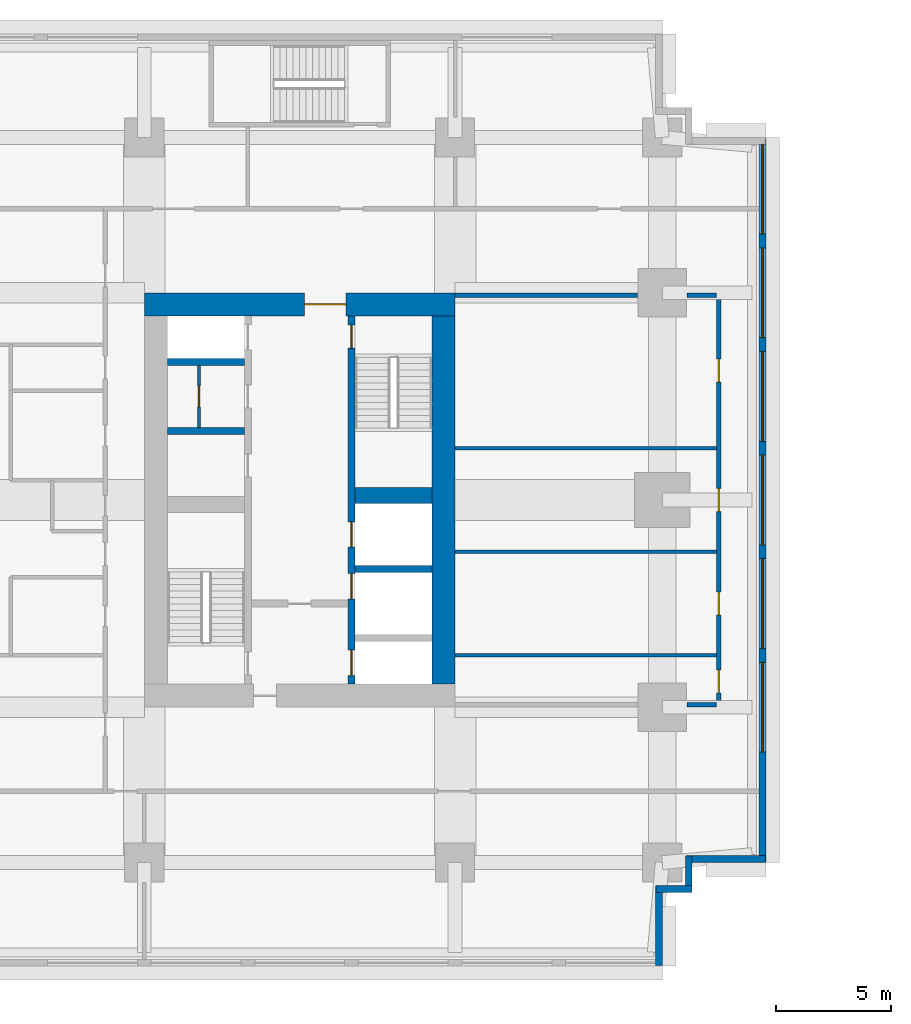
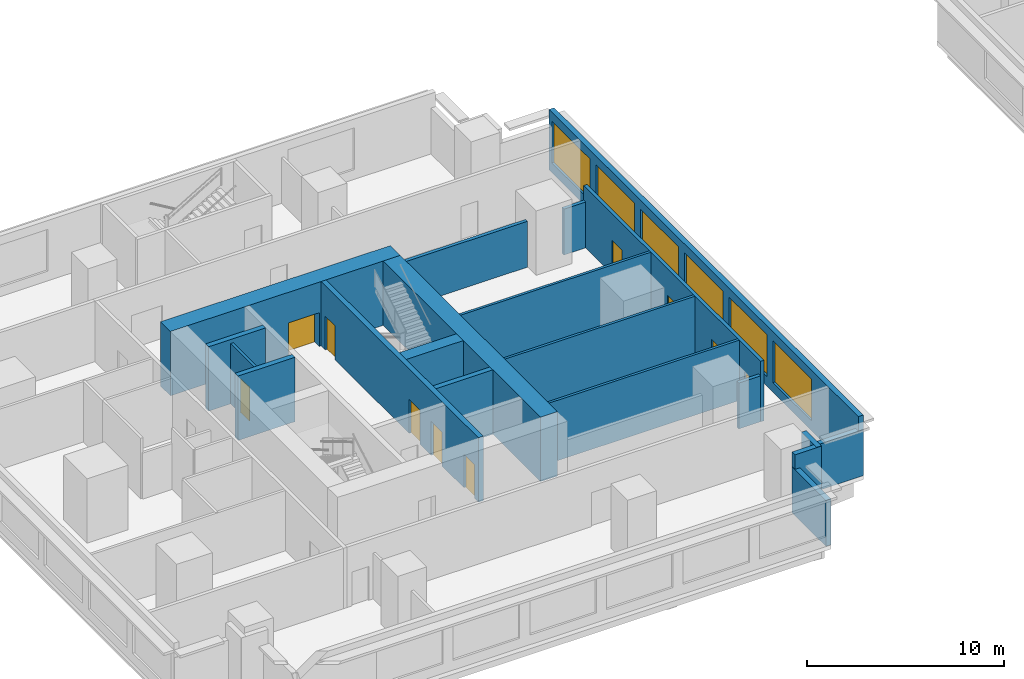
# One storey, part 4 of 10: 20 walls, 10 doors, 6 windows, 16 openings.
"""IFC4 building model written with IfcOpenShell, lengths in metres."""

from ifc_helpers import new_model, si_unit, direction, frame, frame_2d, origin, place, context, subcontext, project, spatial, rectangle, extrude, material, layer, layer_set, type_object, element, fill, save


model = new_model("IFC4")

# Units and contexts
model_context = context("Model", 3, precision=1e-05, world=origin(), true_north=direction((0.0, 1.0)))
body_context = subcontext(model_context, "Body", "Model", "MODEL_VIEW")
ifc_project = project(units=[si_unit("LENGTHUNIT", "METRE"), si_unit("AREAUNIT", "SQUARE_METRE"), si_unit("VOLUMEUNIT", "CUBIC_METRE"), si_unit("PLANEANGLEUNIT", "RADIAN"), si_unit("MASSUNIT", "GRAM", prefix="KILO")], contexts=[model_context])

# Site, building, storey
site_placement = place(None, origin())
site = spatial("IfcSite", under=ifc_project, at=site_placement, CompositionType="ELEMENT")
building_placement = place(site_placement, origin())
building = spatial("IfcBuilding", under=site, at=building_placement, Name="Namib Vertical Campus", CompositionType="ELEMENT")
storey_placement = place(building_placement, frame((0.0, 0.0, 153.0)))
storey = spatial("IfcBuildingStorey", under=building, at=storey_placement, Name="L36", CompositionType="ELEMENT", Elevation=153.0)

# Wall, openings, doors
ifc_material_1 = material(Name="Concrete C60/75", Category="concrete")
ifc_layer_1 = layer(ifc_material_1, 0.300048828125)
ifc_layer_set_1 = layer_set([ifc_layer_1], Name="Concrete C60/75")
wall_type_1 = type_object("IfcWallType", Name="Core inner wall 300", PredefinedType="SHEAR", material=ifc_layer_set_1)
wall_1_placement = place(storey_placement, frame((22.5, 12.25, 0.0), z_axis=(0.0, 0.0, 1.0), x_axis=(0.0, 1.0, 0.0)))
wall_1 = element("IfcWall", 1, at=wall_1_placement, inside=storey, type_object=wall_type_1, Name="Core inner wall A L36 W2", PredefinedType="SHEAR", context=body_context, shape_type="SweptSolid", body=[
    extrude(rectangle(XDim=16.0, YDim=0.300048828125, at=frame_2d((8.0, 0.0))), origin(), (0.0, 0.0, 1.0), 4.0),
])
opening_1_placement = place(wall_1_placement, frame((14.60009765625, 0.0, 0.0)))
opening_1 = element("IfcOpeningElement", 2, at=opening_1_placement, cuts=wall_1, Name="Opening FD1", PredefinedType="OPENING", context=body_context, shape_type="SweptSolid", body=[
    extrude(rectangle(XDim=1.0, YDim=2.10009765625, at=frame_2d((0.5, 1.050048828125))), frame((0.0, 0.159912109375, 0.0), z_axis=(0.0, -1.0, 0.0), x_axis=(1.0, 0.0, 0.0)), (0.0, 0.0, 1.0), 0.320068359375),
])
opening_2_placement = place(wall_1_placement, frame((0.375, 0.0, 0.0)))
opening_2 = element("IfcOpeningElement", 3, at=opening_2_placement, cuts=wall_1, Name="Opening LD1", PredefinedType="OPENING", context=body_context, shape_type="SweptSolid", body=[
    extrude(rectangle(XDim=1.10009765625, YDim=2.10009765625, at=frame_2d((0.550048828125, 1.050048828125))), frame((0.0, 0.159912109375, 0.0), z_axis=(0.0, -1.0, 0.0), x_axis=(1.0, 0.0, 0.0)), (0.0, 0.0, 1.0), 0.320068359375),
])
opening_3_placement = place(wall_1_placement, frame((3.699951171875, 0.0, 0.0)))
opening_3 = element("IfcOpeningElement", 4, at=opening_3_placement, cuts=wall_1, Name="Opening LD1", PredefinedType="OPENING", context=body_context, shape_type="SweptSolid", body=[
    extrude(rectangle(XDim=1.10009765625, YDim=2.10009765625, at=frame_2d((0.550048828125, 1.050048828125))), frame((0.0, 0.159912109375, 0.0), z_axis=(0.0, -1.0, 0.0), x_axis=(1.0, 0.0, 0.0)), (0.0, 0.0, 1.0), 0.320068359375),
])
opening_4_placement = place(wall_1_placement, frame((5.949951171875, 0.0, 0.0)))
opening_4 = element("IfcOpeningElement", 5, at=opening_4_placement, cuts=wall_1, Name="Opening LD1", PredefinedType="OPENING", context=body_context, shape_type="SweptSolid", body=[
    extrude(rectangle(XDim=1.10009765625, YDim=2.10009765625, at=frame_2d((0.550048828125, 1.050048828125))), frame((0.0, 0.159912109375, 0.0), z_axis=(0.0, -1.0, 0.0), x_axis=(1.0, 0.0, 0.0)), (0.0, 0.0, 1.0), 0.320068359375),
])
ifc_material_2 = material(Name="Steel fire door", Category="steel")
door_type_1 = type_object("IfcDoorType", Name="Fire door 1000x2100", OperationType="SINGLE_SWING_RIGHT", PredefinedType="DOOR", material=ifc_material_2)
door_1_placement = place(opening_1_placement, frame((1.0, 0.0, 0.0), z_axis=(0.0, 0.0, 1.0), x_axis=(-1.0, 0.0, 0.0)))
door_1 = element("IfcDoor", 6, at=door_1_placement, inside=storey, type_object=door_type_1, Name="Stair door FD1 A L36 S2", OperationType="SINGLE_SWING_LEFT", OverallHeight=2.10009765625, OverallWidth=1.0, PredefinedType="DOOR", context=body_context, shape_type="SweptSolid", body=[
    extrude(rectangle(XDim=1.0, YDim=2.10009765625, at=frame_2d((0.5, 1.050048828125))), frame((0.0, 0.02490234375, 0.0), z_axis=(0.0, -1.0, 0.0), x_axis=(1.0, 0.0, 0.0)), (0.0, 0.0, 1.0), 0.050048828125),
])
fill(opening_1, door_1)
ifc_material_3 = material(Name="Stainless steel lift door", Category="steel")
door_type_2 = type_object("IfcDoorType", Name="Lift landing door 1100x2100", OperationType="DOUBLE_DOOR_SLIDING", PredefinedType="DOOR", material=ifc_material_3)
door_2_placement = place(opening_2_placement, origin())
door_2 = element("IfcDoor", 7, at=door_2_placement, inside=storey, type_object=door_type_2, Name="Lift landing door LD1 A-FL1 L36", OperationType="DOUBLE_DOOR_SLIDING", OverallHeight=2.10009765625, OverallWidth=1.10009765625, PredefinedType="DOOR", context=body_context, shape_type="SweptSolid", body=[
    extrude(rectangle(XDim=1.10009765625, YDim=2.10009765625, at=frame_2d((0.550048828125, 1.050048828125))), frame((0.0, 0.02490234375, 0.0), z_axis=(0.0, -1.0, 0.0), x_axis=(1.0, 0.0, 0.0)), (0.0, 0.0, 1.0), 0.050048828125),
])
fill(opening_2, door_2)
door_3_placement = place(opening_3_placement, origin())
door_3 = element("IfcDoor", 8, at=door_3_placement, inside=storey, type_object=door_type_2, Name="Lift landing door LD1 A-P4 L36", OperationType="DOUBLE_DOOR_SLIDING", OverallHeight=2.10009765625, OverallWidth=1.10009765625, PredefinedType="DOOR", context=body_context, shape_type="SweptSolid", body=[
    extrude(rectangle(XDim=1.10009765625, YDim=2.10009765625, at=frame_2d((0.550048828125, 1.050048828125))), frame((0.0, 0.02490234375, 0.0), z_axis=(0.0, -1.0, 0.0), x_axis=(1.0, 0.0, 0.0)), (0.0, 0.0, 1.0), 0.050048828125),
])
fill(opening_3, door_3)
door_4_placement = place(opening_4_placement, origin())
door_4 = element("IfcDoor", 9, at=door_4_placement, inside=storey, type_object=door_type_2, Name="Lift landing door LD1 A-P5 L36", OperationType="DOUBLE_DOOR_SLIDING", OverallHeight=2.10009765625, OverallWidth=1.10009765625, PredefinedType="DOOR", context=body_context, shape_type="SweptSolid", body=[
    extrude(rectangle(XDim=1.10009765625, YDim=2.10009765625, at=frame_2d((0.550048828125, 1.050048828125))), frame((0.0, 0.02490234375, 0.0), z_axis=(0.0, -1.0, 0.0), x_axis=(1.0, 0.0, 0.0)), (0.0, 0.0, 1.0), 0.050048828125),
])
fill(opening_4, door_4)

# Walls
for number, where, z_axis, x_axis, name in (
    (10, (22.64990234375, 17.25, 0.0), (0.0, 0.0, 1.0), (1.0, 0.0, 0.0), "Core inner wall A L36 W6"),
    (11, (14.5, 23.25, 0.0), (0.0, 0.0, 1.0), (1.0, 0.0, 0.0), "Core inner wall A L36 W8"),
    (12, (14.5, 26.25, 0.0), (0.0, 0.0, 1.0), (1.0, 0.0, 0.0), "Core inner wall A L36 W9"),
):
    element("IfcWall", number, at=place(storey_placement, frame(where, z_axis=z_axis, x_axis=x_axis)), inside=storey, type_object=wall_type_1, Name=name, PredefinedType="SHEAR", context=body_context, shape_type="SweptSolid", body=[
        extrude(rectangle(XDim=3.35009765625, YDim=0.300048828125, at=frame_2d((1.675048828125, 0.0))), origin(), (0.0, 0.0, 1.0), 4.0),
    ])
ifc_material_4 = material(Name="Concrete C60/75", Category="concrete")
ifc_layer_2 = layer(ifc_material_4, 0.699951171875)
ifc_layer_set_2 = layer_set([ifc_layer_2], Name="Concrete C60/75")
wall_type_2 = type_object("IfcWallType", Name="Core shear wall 700", PredefinedType="SHEAR", material=ifc_layer_set_2)
wall_2_placement = place(storey_placement, frame((22.64990234375, 20.449951171875, 0.0), z_axis=(0.0, 0.0, 1.0), x_axis=(1.0, 0.0, 0.0)))
element("IfcWall", 13, at=wall_2_placement, inside=storey, type_object=wall_type_2, Name="Core shear wall A L36 W7", PredefinedType="SHEAR", context=body_context, shape_type="SweptSolid", body=[
    extrude(rectangle(XDim=3.35009765625, YDim=0.699951171875, at=frame_2d((1.675048828125, 0.0))), origin(), (0.0, 0.0, 1.0), 4.0),
])
ifc_material_5 = material(Name="Concrete C60/75", Category="concrete")
ifc_layer_3 = layer(ifc_material_5, 1.0)
ifc_layer_set_3 = layer_set([ifc_layer_3], Name="Concrete C60/75")
wall_type_3 = type_object("IfcWallType", Name="Core wall 1000", PredefinedType="SHEAR", material=ifc_layer_set_3)
wall_3_placement = place(storey_placement, frame((26.5, 12.25, 0.0), z_axis=(0.0, 0.0, 1.0), x_axis=(0.0, 1.0, 0.0)))
element("IfcWall", 14, at=wall_3_placement, inside=storey, type_object=wall_type_3, Name="Core wall A L36 2", PredefinedType="SHEAR", context=body_context, shape_type="SweptSolid", body=[
    extrude(rectangle(XDim=16.0, YDim=1.0, at=frame_2d((8.0, 0.0))), origin(), (0.0, 0.0, 1.0), 4.0),
])

# Wall, opening, door
wall_4_placement = place(storey_placement, frame((27.0, 28.75, 0.0), z_axis=(0.0, 0.0, 1.0), x_axis=(-1.0, 0.0, 0.0)))
wall_4 = element("IfcWall", 15, at=wall_4_placement, inside=storey, type_object=wall_type_3, Name="Core wall A L36 3", PredefinedType="SHEAR", context=body_context, shape_type="SweptSolid", body=[
    extrude(rectangle(XDim=13.5, YDim=1.0, at=frame_2d((6.75, 0.0))), origin(), (0.0, 0.0, 1.0), 4.0),
])
opening_5_placement = place(wall_4_placement, frame((4.75, 0.0, 0.0)))
opening_5 = element("IfcOpeningElement", 16, at=opening_5_placement, cuts=wall_4, Name="Opening FD2", PredefinedType="OPENING", context=body_context, shape_type="SweptSolid", body=[
    extrude(rectangle(XDim=1.800048828125, YDim=2.10009765625, at=frame_2d((0.89990234375, 1.050048828125))), frame((0.0, 0.510009765625, 0.0), z_axis=(0.0, -1.0, 0.0), x_axis=(1.0, 0.0, 0.0)), (0.0, 0.0, 1.0), 1.02001953125),
])
ifc_material_6 = material(Name="Steel fire door", Category="steel")
door_type_3 = type_object("IfcDoorType", Name="Fire door double 1800x2100", OperationType="DOUBLE_DOOR_SINGLE_SWING", PredefinedType="DOOR", material=ifc_material_6)
door_5_placement = place(opening_5_placement, origin())
door_5 = element("IfcDoor", 17, at=door_5_placement, inside=storey, type_object=door_type_3, Name="Lift lobby door FD2 A L36", OperationType="DOUBLE_DOOR_SINGLE_SWING", OverallHeight=2.10009765625, OverallWidth=1.800048828125, PredefinedType="DOOR", context=body_context, shape_type="SweptSolid", body=[
    extrude(rectangle(XDim=1.800048828125, YDim=2.10009765625, at=frame_2d((0.89990234375, 1.050048828125))), frame((0.0, 0.02490234375, 0.0), z_axis=(0.0, -1.0, 0.0), x_axis=(1.0, 0.0, 0.0)), (0.0, 0.0, 1.0), 0.050048828125),
])
fill(opening_5, door_5)

# Wall, openings, doors
ifc_material_7 = material(Name="Concrete masonry", Category="masonry")
ifc_layer_4 = layer(ifc_material_7, 0.199951171875)
ifc_layer_set_4 = layer_set([ifc_layer_4], Name="Corridor wall 200")
wall_type_4 = type_object("IfcWallType", Name="Corridor wall 200", PredefinedType="SOLIDWALL", material=ifc_layer_set_4)
wall_5_placement = place(storey_placement, frame((38.449951171875, 11.25, 0.0), z_axis=(0.0, 0.0, 1.0), x_axis=(0.0, 1.0, 0.0)))
wall_5 = element("IfcWall", 18, at=wall_5_placement, inside=storey, type_object=wall_type_4, Name="Corridor wall A L36 CG", PredefinedType="SOLIDWALL", context=body_context, shape_type="SweptSolid", body=[
    extrude(rectangle(XDim=18.0, YDim=0.199951171875, at=frame_2d((9.0, 0.0))), origin(), (0.0, 0.0, 1.0), 3.75),
])
opening_6_placement = place(wall_5_placement, frame((0.625, 0.0, 0.0)))
opening_6 = element("IfcOpeningElement", 19, at=opening_6_placement, cuts=wall_5, Name="Opening CD1", PredefinedType="OPENING", context=body_context, shape_type="SweptSolid", body=[
    extrude(rectangle(XDim=1.0, YDim=2.10009765625, at=frame_2d((0.5, 1.050048828125))), frame((0.0, 0.10986328125, 0.0), z_axis=(0.0, -1.0, 0.0), x_axis=(1.0, 0.0, 0.0)), (0.0, 0.0, 1.0), 0.219970703125),
])
opening_7_placement = place(wall_5_placement, frame((4.0, 0.0, 0.0)))
opening_7 = element("IfcOpeningElement", 20, at=opening_7_placement, cuts=wall_5, Name="Opening CD1", PredefinedType="OPENING", context=body_context, shape_type="SweptSolid", body=[
    extrude(rectangle(XDim=1.0, YDim=2.10009765625, at=frame_2d((0.5, 1.050048828125))), frame((0.0, 0.10986328125, 0.0), z_axis=(0.0, -1.0, 0.0), x_axis=(1.0, 0.0, 0.0)), (0.0, 0.0, 1.0), 0.219970703125),
])
opening_8_placement = place(wall_5_placement, frame((8.5, 0.0, 0.0)))
opening_8 = element("IfcOpeningElement", 21, at=opening_8_placement, cuts=wall_5, Name="Opening CD1", PredefinedType="OPENING", context=body_context, shape_type="SweptSolid", body=[
    extrude(rectangle(XDim=1.0, YDim=2.10009765625, at=frame_2d((0.5, 1.050048828125))), frame((0.0, 0.10986328125, 0.0), z_axis=(0.0, -1.0, 0.0), x_axis=(1.0, 0.0, 0.0)), (0.0, 0.0, 1.0), 0.219970703125),
])
opening_9_placement = place(wall_5_placement, frame((14.125, 0.0, 0.0)))
opening_9 = element("IfcOpeningElement", 22, at=opening_9_placement, cuts=wall_5, Name="Opening CD1", PredefinedType="OPENING", context=body_context, shape_type="SweptSolid", body=[
    extrude(rectangle(XDim=1.0, YDim=2.10009765625, at=frame_2d((0.5, 1.050048828125))), frame((0.0, 0.10986328125, 0.0), z_axis=(0.0, -1.0, 0.0), x_axis=(1.0, 0.0, 0.0)), (0.0, 0.0, 1.0), 0.219970703125),
])
ifc_material_8 = material(Name="Timber fire door leaf", Category="wood")
door_type_4 = type_object("IfcDoorType", Name="Corridor door 1000x2100 20 min", OperationType="SINGLE_SWING_LEFT", PredefinedType="DOOR", material=ifc_material_8)
door_6_placement = place(opening_6_placement, origin())
door_6 = element("IfcDoor", 23, at=door_6_placement, inside=storey, type_object=door_type_4, Name="Door CD1 A36-03", OperationType="SINGLE_SWING_LEFT", OverallHeight=2.10009765625, OverallWidth=1.0, PredefinedType="DOOR", context=body_context, shape_type="SweptSolid", body=[
    extrude(rectangle(XDim=1.0, YDim=2.10009765625, at=frame_2d((0.5, 1.050048828125))), frame((0.0, 0.02490234375, 0.0), z_axis=(0.0, -1.0, 0.0), x_axis=(1.0, 0.0, 0.0)), (0.0, 0.0, 1.0), 0.050048828125),
])
fill(opening_6, door_6)
door_7_placement = place(opening_7_placement, origin())
door_7 = element("IfcDoor", 24, at=door_7_placement, inside=storey, type_object=door_type_4, Name="Door CD1 A36-04", OperationType="SINGLE_SWING_LEFT", OverallHeight=2.10009765625, OverallWidth=1.0, PredefinedType="DOOR", context=body_context, shape_type="SweptSolid", body=[
    extrude(rectangle(XDim=1.0, YDim=2.10009765625, at=frame_2d((0.5, 1.050048828125))), frame((0.0, 0.02490234375, 0.0), z_axis=(0.0, -1.0, 0.0), x_axis=(1.0, 0.0, 0.0)), (0.0, 0.0, 1.0), 0.050048828125),
])
fill(opening_7, door_7)
door_8_placement = place(opening_8_placement, origin())
door_8 = element("IfcDoor", 25, at=door_8_placement, inside=storey, type_object=door_type_4, Name="Door CD1 A36-05", OperationType="SINGLE_SWING_LEFT", OverallHeight=2.10009765625, OverallWidth=1.0, PredefinedType="DOOR", context=body_context, shape_type="SweptSolid", body=[
    extrude(rectangle(XDim=1.0, YDim=2.10009765625, at=frame_2d((0.5, 1.050048828125))), frame((0.0, 0.02490234375, 0.0), z_axis=(0.0, -1.0, 0.0), x_axis=(1.0, 0.0, 0.0)), (0.0, 0.0, 1.0), 0.050048828125),
])
fill(opening_8, door_8)
door_9_placement = place(opening_9_placement, origin())
door_9 = element("IfcDoor", 26, at=door_9_placement, inside=storey, type_object=door_type_4, Name="Door CD1 A36-06", OperationType="SINGLE_SWING_LEFT", OverallHeight=2.10009765625, OverallWidth=1.0, PredefinedType="DOOR", context=body_context, shape_type="SweptSolid", body=[
    extrude(rectangle(XDim=1.0, YDim=2.10009765625, at=frame_2d((0.5, 1.050048828125))), frame((0.0, 0.02490234375, 0.0), z_axis=(0.0, -1.0, 0.0), x_axis=(1.0, 0.0, 0.0)), (0.0, 0.0, 1.0), 0.050048828125),
])
fill(opening_9, door_9)

# Walls
wall_6_placement = place(storey_placement, frame((37.070068359375, 11.35009765625, 0.0), z_axis=(0.0, 0.0, 1.0), x_axis=(1.0, 0.0, 0.0)))
element("IfcWall", 27, at=wall_6_placement, inside=storey, type_object=wall_type_4, Name="Corridor wall A L36 GS", PredefinedType="SOLIDWALL", context=body_context, shape_type="SweptSolid", body=[
    extrude(rectangle(XDim=1.280029296875, YDim=0.199951171875, at=frame_2d((0.64013671875, 0.0))), origin(), (0.0, 0.0, 1.0), 2.85009765625),
])
wall_7_placement = place(storey_placement, frame((27.0, 29.14990234375, 0.0), z_axis=(0.0, 0.0, 1.0), x_axis=(1.0, 0.0, 0.0)))
element("IfcWall", 28, at=wall_7_placement, inside=storey, type_object=wall_type_4, Name="Corridor wall A L36 GN", PredefinedType="SOLIDWALL", context=body_context, shape_type="SweptSolid", body=[
    extrude(rectangle(XDim=7.929931640625, YDim=0.199951171875, at=frame_2d((3.96484375, 0.0))), origin(), (0.0, 0.0, 1.0), 2.85009765625),
])
wall_8_placement = place(storey_placement, frame((37.070068359375, 29.14990234375, 0.0), z_axis=(0.0, 0.0, 1.0), x_axis=(1.0, 0.0, 0.0)))
element("IfcWall", 29, at=wall_8_placement, inside=storey, type_object=wall_type_4, Name="Corridor wall A L36 GN", PredefinedType="SOLIDWALL", context=body_context, shape_type="SweptSolid", body=[
    extrude(rectangle(XDim=1.280029296875, YDim=0.199951171875, at=frame_2d((0.64013671875, 0.0))), origin(), (0.0, 0.0, 1.0), 2.85009765625),
])
ifc_material_9 = material(Name="Concrete C40/50", Category="concrete")
ifc_layer_5 = layer(ifc_material_9, 0.300048828125)
ifc_layer_set_5 = layer_set([ifc_layer_5], Name="Concrete C40/50")
wall_type_5 = type_object("IfcWallType", Name="External wall 300 board-marked concrete", PredefinedType="STANDARD", material=ifc_layer_set_5)
wall_9_placement = place(storey_placement, frame((35.85009765625, 0.02001953125, 0.0), z_axis=(0.0, 0.0, 1.0), x_axis=(0.0, 1.0, 0.0)))
element("IfcWall", 30, at=wall_9_placement, inside=storey, type_object=wall_type_5, Name="External wall L36 F02", PredefinedType="STANDARD", context=body_context, shape_type="SweptSolid", body=[
    extrude(rectangle(XDim=3.4599609375, YDim=0.300048828125, at=frame_2d((1.72998046875, 0.0))), origin(), (0.0, 0.0, 1.0), 2.85009765625),
])
for number, where, z_axis, x_axis, name in (
    (31, (35.719970703125, 3.35009765625, 0.0), (0.0, 0.0, 1.0), (1.0, 0.0, 0.0), "External wall L36 F03"),
    (32, (37.14990234375, 3.219970703125, 0.0), (0.0, 0.0, 1.0), (0.0, 1.0, 0.0), "External wall L36 F04"),
):
    element("IfcWall", number, at=place(storey_placement, frame(where, z_axis=z_axis, x_axis=x_axis)), inside=storey, type_object=wall_type_5, Name=name, PredefinedType="STANDARD", context=body_context, shape_type="SweptSolid", body=[
        extrude(rectangle(XDim=1.56005859375, YDim=0.300048828125, at=frame_2d((0.780029296875, 0.0))), origin(), (0.0, 0.0, 1.0), 3.75),
    ])
wall_10_placement = place(storey_placement, frame((37.02001953125, 4.64990234375, 0.0), z_axis=(0.0, 0.0, 1.0), x_axis=(1.0, 0.0, 0.0)))
element("IfcWall", 33, at=wall_10_placement, inside=storey, type_object=wall_type_5, Name="External wall L36 F05", PredefinedType="STANDARD", context=body_context, shape_type="SweptSolid", body=[
    extrude(rectangle(XDim=3.4599609375, YDim=0.300048828125, at=frame_2d((1.72998046875, 0.0))), origin(), (0.0, 0.0, 1.0), 2.85009765625),
])

# Wall, openings, windows
wall_11_placement = place(storey_placement, frame((40.35009765625, 4.52001953125, 0.0), z_axis=(0.0, 0.0, 1.0), x_axis=(0.0, 1.0, 0.0)))
wall_11 = element("IfcWall", 34, at=wall_11_placement, inside=storey, type_object=wall_type_5, Name="External wall L36 F06", PredefinedType="STANDARD", context=body_context, shape_type="SweptSolid", body=[
    extrude(rectangle(XDim=31.4599609375, YDim=0.300048828125, at=frame_2d((15.72998046875, 0.0))), origin(), (0.0, 0.0, 1.0), 3.75),
])
opening_10_placement = place(wall_11_placement, frame((4.780029296875, 0.0, 0.60009765625)))
opening_10 = element("IfcOpeningElement", 35, at=opening_10_placement, cuts=wall_11, Name="Opening W2", PredefinedType="OPENING", context=body_context, shape_type="SweptSolid", body=[
    extrude(rectangle(XDim=3.89990234375, YDim=2.60009765625, at=frame_2d((1.949951171875, 1.300048828125))), frame((0.0, 0.159912109375, 0.0), z_axis=(0.0, -1.0, 0.0), x_axis=(1.0, 0.0, 0.0)), (0.0, 0.0, 1.0), 0.320068359375),
])
opening_11_placement = place(wall_11_placement, frame((9.280029296875, 0.0, 0.60009765625)))
opening_11 = element("IfcOpeningElement", 36, at=opening_11_placement, cuts=wall_11, Name="Opening W2", PredefinedType="OPENING", context=body_context, shape_type="SweptSolid", body=[
    extrude(rectangle(XDim=3.89990234375, YDim=2.60009765625, at=frame_2d((1.949951171875, 1.300048828125))), frame((0.0, 0.159912109375, 0.0), z_axis=(0.0, -1.0, 0.0), x_axis=(1.0, 0.0, 0.0)), (0.0, 0.0, 1.0), 0.320068359375),
])
opening_12_placement = place(wall_11_placement, frame((13.780029296875, 0.0, 0.60009765625)))
opening_12 = element("IfcOpeningElement", 37, at=opening_12_placement, cuts=wall_11, Name="Opening W2", PredefinedType="OPENING", context=body_context, shape_type="SweptSolid", body=[
    extrude(rectangle(XDim=3.89990234375, YDim=2.60009765625, at=frame_2d((1.949951171875, 1.300048828125))), frame((0.0, 0.159912109375, 0.0), z_axis=(0.0, -1.0, 0.0), x_axis=(1.0, 0.0, 0.0)), (0.0, 0.0, 1.0), 0.320068359375),
])
opening_13_placement = place(wall_11_placement, frame((18.280029296875, 0.0, 0.60009765625)))
opening_13 = element("IfcOpeningElement", 38, at=opening_13_placement, cuts=wall_11, Name="Opening W2", PredefinedType="OPENING", context=body_context, shape_type="SweptSolid", body=[
    extrude(rectangle(XDim=3.89990234375, YDim=2.60009765625, at=frame_2d((1.949951171875, 1.300048828125))), frame((0.0, 0.159912109375, 0.0), z_axis=(0.0, -1.0, 0.0), x_axis=(1.0, 0.0, 0.0)), (0.0, 0.0, 1.0), 0.320068359375),
])
opening_14_placement = place(wall_11_placement, frame((22.780029296875, 0.0, 0.60009765625)))
opening_14 = element("IfcOpeningElement", 39, at=opening_14_placement, cuts=wall_11, Name="Opening W2", PredefinedType="OPENING", context=body_context, shape_type="SweptSolid", body=[
    extrude(rectangle(XDim=3.89990234375, YDim=2.60009765625, at=frame_2d((1.949951171875, 1.300048828125))), frame((0.0, 0.159912109375, 0.0), z_axis=(0.0, -1.0, 0.0), x_axis=(1.0, 0.0, 0.0)), (0.0, 0.0, 1.0), 0.320068359375),
])
opening_15_placement = place(wall_11_placement, frame((27.280029296875, 0.0, 0.60009765625)))
opening_15 = element("IfcOpeningElement", 40, at=opening_15_placement, cuts=wall_11, Name="Opening W2", PredefinedType="OPENING", context=body_context, shape_type="SweptSolid", body=[
    extrude(rectangle(XDim=3.89990234375, YDim=2.60009765625, at=frame_2d((1.949951171875, 1.300048828125))), frame((0.0, 0.159912109375, 0.0), z_axis=(0.0, -1.0, 0.0), x_axis=(1.0, 0.0, 0.0)), (0.0, 0.0, 1.0), 0.320068359375),
])
ifc_material_10 = material(Name="Dark tinted glass in black aluminium frame", Category="aluminium")
window_type = type_object("IfcWindowType", Name="Ribbon window 3900x2600", PartitioningType="SINGLE_PANEL", PredefinedType="WINDOW", material=ifc_material_10)
window_1_placement = place(opening_10_placement, origin())
window_1 = element("IfcWindow", 41, at=window_1_placement, inside=storey, type_object=window_type, Name="Window W2 L36 F06-2", OverallHeight=2.60009765625, OverallWidth=3.89990234375, PartitioningType="SINGLE_PANEL", PredefinedType="WINDOW", context=body_context, shape_type="SweptSolid", body=[
    extrude(rectangle(XDim=3.89990234375, YDim=2.60009765625, at=frame_2d((1.949951171875, 1.300048828125))), frame((0.0, 0.030029296875, 0.0), z_axis=(0.0, -1.0, 0.0), x_axis=(1.0, 0.0, 0.0)), (0.0, 0.0, 1.0), 0.06005859375),
])
fill(opening_10, window_1)
window_2_placement = place(opening_11_placement, origin())
window_2 = element("IfcWindow", 42, at=window_2_placement, inside=storey, type_object=window_type, Name="Window W2 L36 F06-3", OverallHeight=2.60009765625, OverallWidth=3.89990234375, PartitioningType="SINGLE_PANEL", PredefinedType="WINDOW", context=body_context, shape_type="SweptSolid", body=[
    extrude(rectangle(XDim=3.89990234375, YDim=2.60009765625, at=frame_2d((1.949951171875, 1.300048828125))), frame((0.0, 0.030029296875, 0.0), z_axis=(0.0, -1.0, 0.0), x_axis=(1.0, 0.0, 0.0)), (0.0, 0.0, 1.0), 0.06005859375),
])
fill(opening_11, window_2)
window_3_placement = place(opening_12_placement, origin())
window_3 = element("IfcWindow", 43, at=window_3_placement, inside=storey, type_object=window_type, Name="Window W2 L36 F06-4", OverallHeight=2.60009765625, OverallWidth=3.89990234375, PartitioningType="SINGLE_PANEL", PredefinedType="WINDOW", context=body_context, shape_type="SweptSolid", body=[
    extrude(rectangle(XDim=3.89990234375, YDim=2.60009765625, at=frame_2d((1.949951171875, 1.300048828125))), frame((0.0, 0.030029296875, 0.0), z_axis=(0.0, -1.0, 0.0), x_axis=(1.0, 0.0, 0.0)), (0.0, 0.0, 1.0), 0.06005859375),
])
fill(opening_12, window_3)
window_4_placement = place(opening_13_placement, origin())
window_4 = element("IfcWindow", 44, at=window_4_placement, inside=storey, type_object=window_type, Name="Window W2 L36 F06-5", OverallHeight=2.60009765625, OverallWidth=3.89990234375, PartitioningType="SINGLE_PANEL", PredefinedType="WINDOW", context=body_context, shape_type="SweptSolid", body=[
    extrude(rectangle(XDim=3.89990234375, YDim=2.60009765625, at=frame_2d((1.949951171875, 1.300048828125))), frame((0.0, 0.030029296875, 0.0), z_axis=(0.0, -1.0, 0.0), x_axis=(1.0, 0.0, 0.0)), (0.0, 0.0, 1.0), 0.06005859375),
])
fill(opening_13, window_4)
window_5_placement = place(opening_14_placement, origin())
window_5 = element("IfcWindow", 45, at=window_5_placement, inside=storey, type_object=window_type, Name="Window W2 L36 F06-6", OverallHeight=2.60009765625, OverallWidth=3.89990234375, PartitioningType="SINGLE_PANEL", PredefinedType="WINDOW", context=body_context, shape_type="SweptSolid", body=[
    extrude(rectangle(XDim=3.89990234375, YDim=2.60009765625, at=frame_2d((1.949951171875, 1.300048828125))), frame((0.0, 0.030029296875, 0.0), z_axis=(0.0, -1.0, 0.0), x_axis=(1.0, 0.0, 0.0)), (0.0, 0.0, 1.0), 0.06005859375),
])
fill(opening_14, window_5)
window_6_placement = place(opening_15_placement, origin())
window_6 = element("IfcWindow", 46, at=window_6_placement, inside=storey, type_object=window_type, Name="Window W2 L36 F06-7", OverallHeight=2.60009765625, OverallWidth=3.89990234375, PartitioningType="SINGLE_PANEL", PredefinedType="WINDOW", context=body_context, shape_type="SweptSolid", body=[
    extrude(rectangle(XDim=3.89990234375, YDim=2.60009765625, at=frame_2d((1.949951171875, 1.300048828125))), frame((0.0, 0.030029296875, 0.0), z_axis=(0.0, -1.0, 0.0), x_axis=(1.0, 0.0, 0.0)), (0.0, 0.0, 1.0), 0.06005859375),
])
fill(opening_15, window_6)

# Wall, opening, door
ifc_material_11 = material(Name="Gypsum board on steel studs", Category="steel")
ifc_layer_6 = layer(ifc_material_11, 0.14990234375)
ifc_layer_set_6 = layer_set([ifc_layer_6], Name="Gypsum board on steel studs")
wall_type_6 = type_object("IfcWallType", Name="Partition 150", PredefinedType="PARTITIONING", material=ifc_layer_set_6)
wall_12_placement = place(storey_placement, frame((15.875, 23.39990234375, 0.0), z_axis=(0.0, 0.0, 1.0), x_axis=(0.0, 1.0, 0.0)))
wall_12 = element("IfcWall", 47, at=wall_12_placement, inside=storey, type_object=wall_type_6, Name="Partition A L36 Store P2 back", PredefinedType="PARTITIONING", context=body_context, shape_type="SweptSolid", body=[
    extrude(rectangle(XDim=2.7001953125, YDim=0.14990234375, at=frame_2d((1.35009765625, 0.0))), origin(), (0.0, 0.0, 1.0), 3.75),
])
opening_16_placement = place(wall_12_placement, frame((0.89990234375, 0.0, 0.0)))
opening_16 = element("IfcOpeningElement", 48, at=opening_16_placement, cuts=wall_12, Name="Opening D3", PredefinedType="OPENING", context=body_context, shape_type="SweptSolid", body=[
    extrude(rectangle(XDim=0.89990234375, YDim=2.10009765625, at=frame_2d((0.449951171875, 1.050048828125))), frame((0.0, 0.0849609375, 0.0), z_axis=(0.0, -1.0, 0.0), x_axis=(1.0, 0.0, 0.0)), (0.0, 0.0, 1.0), 0.169921875),
])
ifc_material_12 = material(Name="Timber door leaf", Category="wood")
door_type_5 = type_object("IfcDoorType", Name="Toilet door 900x2100", OperationType="SINGLE_SWING_LEFT", PredefinedType="DOOR", material=ifc_material_12)
door_10_placement = place(opening_16_placement, origin())
door_10 = element("IfcDoor", 49, at=door_10_placement, inside=storey, type_object=door_type_5, Name="Door D3 Store A L36 P2", OperationType="SINGLE_SWING_LEFT", OverallHeight=2.10009765625, OverallWidth=0.89990234375, PredefinedType="DOOR", context=body_context, shape_type="SweptSolid", body=[
    extrude(rectangle(XDim=0.89990234375, YDim=2.10009765625, at=frame_2d((0.449951171875, 1.050048828125))), frame((0.0, 0.02490234375, 0.0), z_axis=(0.0, -1.0, 0.0), x_axis=(1.0, 0.0, 0.0)), (0.0, 0.0, 1.0), 0.050048828125),
])
fill(opening_16, door_10)

# Walls
for number, where, z_axis, x_axis, name in (
    (50, (27.0, 13.5, 0.0), (0.0, 0.0, 1.0), (1.0, 0.0, 0.0), "Partition A L36 PE1"),
    (51, (27.0, 18.0, 0.0), (0.0, 0.0, 1.0), (1.0, 0.0, 0.0), "Partition A L36 PE2"),
    (52, (27.0, 22.5, 0.0), (0.0, 0.0, 1.0), (1.0, 0.0, 0.0), "Partition A L36 PE3"),
):
    element("IfcWall", number, at=place(storey_placement, frame(where, z_axis=z_axis, x_axis=x_axis)), inside=storey, type_object=wall_type_6, Name=name, PredefinedType="PARTITIONING", context=body_context, shape_type="SweptSolid", body=[
        extrude(rectangle(XDim=11.35009765625, YDim=0.14990234375, at=frame_2d((5.675048828125, 0.0))), origin(), (0.0, 0.0, 1.0), 3.75),
    ])

save(model, "model.ifc")
